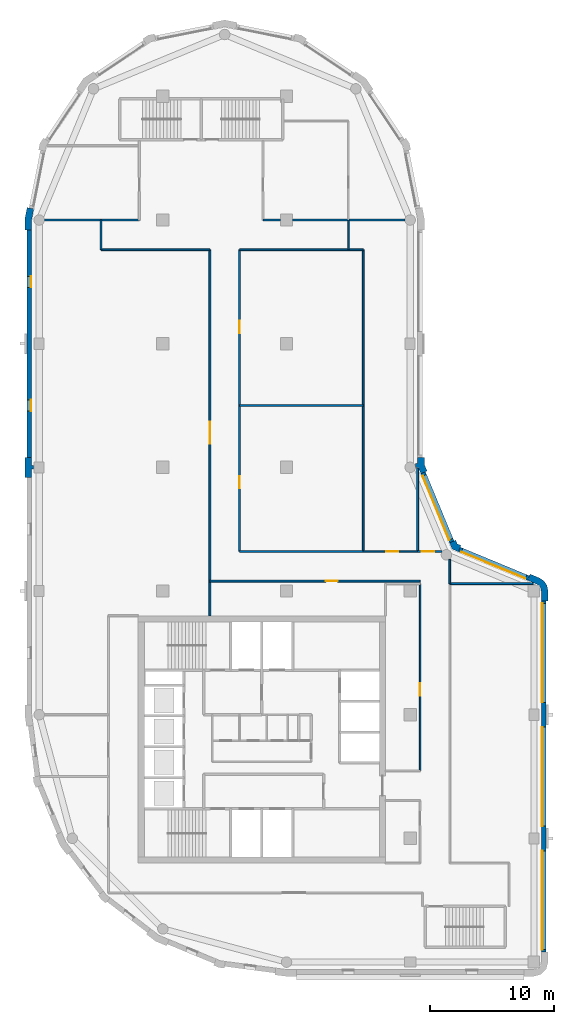
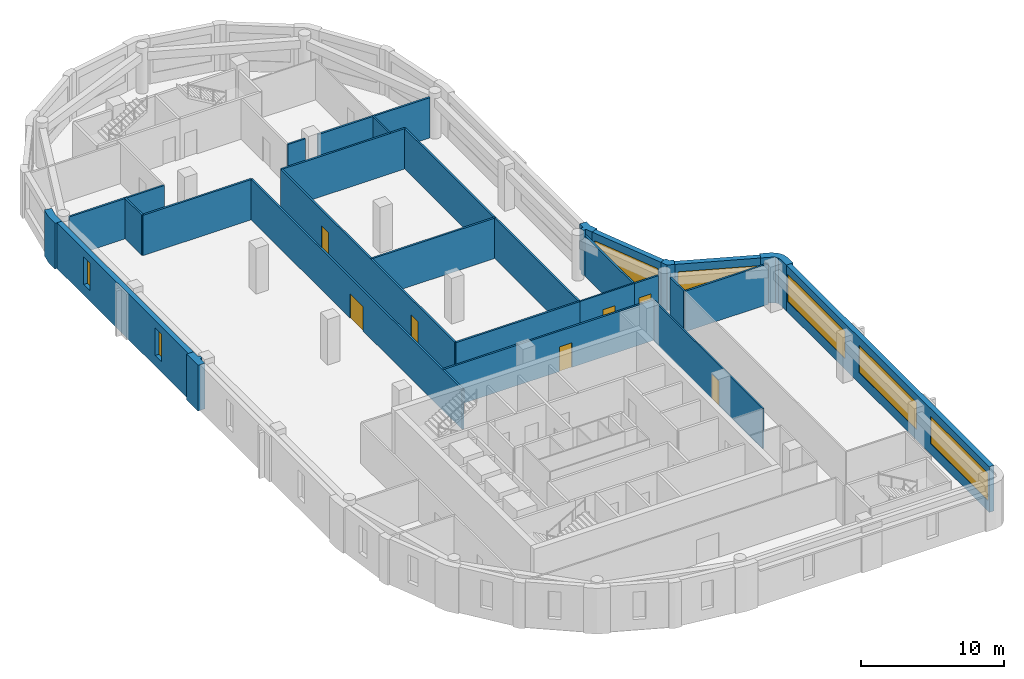
# One storey, part 4 of 8: 28 walls, 7 doors, 7 windows, 14 openings.
"""IFC4 building model written with IfcOpenShell, lengths in metres."""

import ifcopenshell
import ifcopenshell.guid

model = None  # the IFC model being written
_history = None  # IfcOwnerHistory: only IFC2X3 demands one
_inside = {}  # id of a spatial element -> (the spatial element, [elements in it])
_under = {}  # id of a project, library or spatial element -> (it, [spatial elements below it])
_declared = {}  # id of a project -> (the project, [libraries it declares])
_typed = {}  # id of a type object -> (the type object, [elements of that type])
_made_of = {}  # id of a material, layer set ... -> (it, [elements and type objects made of it])


def new_model(schema):
    """Start an empty IFC model of exactly this schema.

    Asked for "IFC4X3", IfcOpenShell would pick the latest addendum, in which some entities
    have other attributes; the version numbers below select the first issue.
    IFC2X3 requires an IfcOwnerHistory on every rooted entity: one is made here for all.
    """
    global model, _history
    if schema == "IFC4X3":
        model = ifcopenshell.file(schema_version=(4, 3, 0, 0))
    else:
        model = ifcopenshell.file(schema=schema)
    _inside.clear()
    _under.clear()
    _declared.clear()
    _typed.clear()
    _made_of.clear()
    _history = None
    if model.schema == "IFC2X3":
        org = make("IfcOrganization", Name="unknown")
        user = make(
            "IfcPersonAndOrganization",
            ThePerson=make("IfcPerson", FamilyName="unknown"),
            TheOrganization=org,
        )
        app = make(
            "IfcApplication",
            ApplicationDeveloper=org,
            Version="unknown",
            ApplicationFullName="unknown",
            ApplicationIdentifier="unknown",
        )
        _history = make(
            "IfcOwnerHistory",
            OwningUser=user,
            OwningApplication=app,
            ChangeAction="ADDED",
            CreationDate=0,
        )
    return model


def make(cls, **values):
    """One entity of the class cls with the attributes given. An attribute that is None is left unset."""
    return model.create_entity(
        cls, **{name: value for name, value in values.items() if value is not None}
    )


def rooted(cls, **values):
    """An entity with a GlobalId (a new one), such as an element, a storey or a relation."""
    return make(cls, GlobalId=ifcopenshell.guid.new(), OwnerHistory=_history, **values)


def si_unit(unit_type, name, prefix=None):
    """IfcSIUnit, for example si_unit("LENGTHUNIT", "METRE", prefix="MILLI")."""
    return make("IfcSIUnit", UnitType=unit_type, Prefix=prefix, Name=name)


def assignment(units):
    """IfcUnitAssignment: the units of a project."""
    return None if units is None else make("IfcUnitAssignment", Units=units)


def point(xyz):
    """IfcCartesianPoint."""
    return None if xyz is None else make("IfcCartesianPoint", Coordinates=xyz)


def direction(xyz):
    """IfcDirection."""
    return None if xyz is None else make("IfcDirection", DirectionRatios=xyz)


def frame(location, z_axis=None, x_axis=None):
    """IfcAxis2Placement3D, a coordinate frame: its origin and axes. An axis left out is left unset."""
    return make(
        "IfcAxis2Placement3D",
        Location=point(location),
        Axis=direction(z_axis),
        RefDirection=direction(x_axis),
    )


def frame_2d(location, x_axis=None):
    """IfcAxis2Placement2D, a coordinate frame in the plane: its origin and x axis."""
    return make(
        "IfcAxis2Placement2D", Location=point(location), RefDirection=direction(x_axis)
    )


def origin():
    """The frame at (0, 0, 0) with its axes left unset."""
    return frame((0.0, 0.0, 0.0))


def place(relative_to, where):
    """IfcLocalPlacement: puts the frame where relative to a parent placement (None: the world)."""
    return make(
        "IfcLocalPlacement", PlacementRelTo=relative_to, RelativePlacement=where
    )


def context(
    kind, dimensions, precision=None, world=None, true_north=None, identifier=None
):
    """IfcGeometricRepresentationContext, for example the 3D "Model" context."""
    return make(
        "IfcGeometricRepresentationContext",
        ContextIdentifier=identifier,
        ContextType=kind,
        CoordinateSpaceDimension=dimensions,
        Precision=precision,
        WorldCoordinateSystem=world,
        TrueNorth=true_north,
    )


def subcontext(parent, identifier, kind, view, scale=None):
    """IfcGeometricRepresentationSubContext, for example "Body" below "Model"."""
    return make(
        "IfcGeometricRepresentationSubContext",
        ContextIdentifier=identifier,
        ContextType=kind,
        ParentContext=parent,
        TargetScale=scale,
        TargetView=view,
    )


def project(units=None, contexts=None):
    """IfcProject with its units and contexts."""
    return rooted(
        "IfcProject",
        Name="project",
        RepresentationContexts=contexts,
        UnitsInContext=assignment(units),
    )


def spatial(cls, under=None, at=None, **own):
    """A site, building, storey or space (cls), placed at a placement, below another one or the project."""
    s = rooted(cls, ObjectPlacement=at, **own)
    if under is not None:
        _under.setdefault(under.id(), (under, []))[1].append(s)
    return s


def polyline(points):
    """IfcPolyline through the points."""
    return make("IfcPolyline", Points=[point(p) for p in points])


def profile(cls, at=None, kind="AREA", **sizes):
    """A parametric profile (cls). Its sizes go by their IFC names, for example OverallWidth=200.0."""
    return make(cls, ProfileType=kind, Position=at, **sizes)


def rectangle(**sizes):
    """IfcRectangleProfileDef."""
    return profile("IfcRectangleProfileDef", **sizes)


def outline(outer, holes=None, kind="AREA"):
    """IfcArbitraryClosedProfileDef: a profile drawn as a closed curve; with holes, ...WithVoids."""
    if holes is None:
        return make("IfcArbitraryClosedProfileDef", ProfileType=kind, OuterCurve=outer)
    return make(
        "IfcArbitraryProfileDefWithVoids",
        ProfileType=kind,
        OuterCurve=outer,
        InnerCurves=holes,
    )


def extrude(swept, where, along, depth):
    """IfcExtrudedAreaSolid: the profile swept, set in the frame where, extruded along a direction by depth."""
    return make(
        "IfcExtrudedAreaSolid",
        SweptArea=swept,
        Position=where,
        ExtrudedDirection=direction(along),
        Depth=depth,
    )


def shape(context_of_items, identifier, shape_type, items):
    """IfcShapeRepresentation: the items that make up one representation, for example the "Body"."""
    return make(
        "IfcShapeRepresentation",
        ContextOfItems=context_of_items,
        RepresentationIdentifier=identifier,
        RepresentationType=shape_type,
        Items=items,
    )


def material(Name=None, Category=None):
    """IfcMaterial."""
    return make("IfcMaterial", Name=Name, Category=Category)


def layer(
    of_material, thickness, ventilated=None, Name=None, Category=None, Priority=None
):
    """IfcMaterialLayer: one layer of a wall or slab, of a material (None: an air gap)."""
    return make(
        "IfcMaterialLayer",
        Material=of_material,
        LayerThickness=thickness,
        IsVentilated=ventilated,
        Name=Name,
        Category=Category,
        Priority=Priority,
    )


def layer_set(layers, Name=None):
    """IfcMaterialLayerSet."""
    return make("IfcMaterialLayerSet", MaterialLayers=layers, LayerSetName=Name)


def made_of(thing, what):
    """Note that an element or type object is made of a material, layer set ...; save() writes the relation."""
    if what is not None:
        _made_of.setdefault(what.id(), (what, []))[1].append(thing)
    return thing


def type_object(cls, material=None, **own):
    """A type object (cls), such as IfcWallType, which elements share."""
    return made_of(rooted(cls, **own), material)


def element(
    cls,
    number,
    at=None,
    inside=None,
    cuts=None,
    type_object=None,
    material=None,
    context=None,
    identifier="Body",
    shape_type=None,
    held_by="IfcProductDefinitionShape",
    body=None,
    shapes=None,
    **own,
):
    """One element of the class cls, such as IfcWall. Its Tag is "e" and its number.

    at: its placement. inside: the storey or other place that contains it. cuts: it is an
    opening in that element (IfcRelVoidsElement). A single representation is given by context,
    identifier, shape_type and body (its items); several are given by shapes. held_by: the class
    of the entity that holds the representations. save() writes the other relations.
    """
    e = rooted(cls, Tag="e%d" % number, ObjectPlacement=at, **own)
    if body is not None:
        shapes = [shape(context, identifier, shape_type, body)]
    if shapes is not None:
        e.Representation = make(held_by, Representations=shapes)
    if inside is not None:
        _inside.setdefault(inside.id(), (inside, []))[1].append(e)
    if cuts is not None:
        rooted(
            "IfcRelVoidsElement", RelatingBuildingElement=cuts, RelatedOpeningElement=e
        )
    if type_object is not None:
        _typed.setdefault(type_object.id(), (type_object, []))[1].append(e)
    return made_of(e, material)


def fill(opening, filler):
    """IfcRelFillsElement: the door or window that sits in an opening."""
    return rooted(
        "IfcRelFillsElement",
        RelatingOpeningElement=opening,
        RelatedBuildingElement=filler,
    )


def aggregate(whole, parts):
    """IfcRelAggregates: a whole, such as a stair, and the parts it consists of."""
    return rooted("IfcRelAggregates", RelatingObject=whole, RelatedObjects=parts)


def save(model, path):
    """Write the relations noted so far, then the file.

    IfcRelAggregates (storeys below a building ...), IfcRelContainedInSpatialStructure (elements
    in a storey), IfcRelDefinesByType, IfcRelAssociatesMaterial and IfcRelDeclares: one each for
    every whole, place, type object, material and project.
    """
    for whole, parts in _under.values():
        aggregate(whole, parts)
    for where, things in _inside.values():
        rooted(
            "IfcRelContainedInSpatialStructure",
            RelatedElements=things,
            RelatingStructure=where,
        )
    for kind, things in _typed.values():
        rooted("IfcRelDefinesByType", RelatedObjects=things, RelatingType=kind)
    for what, things in _made_of.values():
        rooted("IfcRelAssociatesMaterial", RelatedObjects=things, RelatingMaterial=what)
    for by, libraries in _declared.values():
        rooted("IfcRelDeclares", RelatingContext=by, RelatedDefinitions=libraries)
    model.write(path)


model = new_model("IFC4")

# Units and contexts
model_context = context("Model", 3, precision=1e-05, world=origin(), true_north=direction((0.0, 1.0)))
body_context = subcontext(model_context, "Body", "Model", "MODEL_VIEW")
ifc_project = project(units=[si_unit("LENGTHUNIT", "METRE"), si_unit("AREAUNIT", "SQUARE_METRE"), si_unit("VOLUMEUNIT", "CUBIC_METRE"), si_unit("PLANEANGLEUNIT", "RADIAN"), si_unit("MASSUNIT", "GRAM", prefix="KILO")], contexts=[model_context])

# Site, building, storey
site_placement = place(None, origin())
site = spatial("IfcSite", under=ifc_project, at=site_placement, CompositionType="ELEMENT")
building_placement = place(site_placement, origin())
building = spatial("IfcBuilding", under=site, at=building_placement, Name="Qaws Garden Tower", CompositionType="ELEMENT")
storey_placement = place(building_placement, frame((0.0, 0.0, 348.89990234375)))
storey = spatial("IfcBuildingStorey", under=building, at=storey_placement, Name="L85", CompositionType="ELEMENT", Elevation=348.89990234375)

# Wall
ifc_material_1 = material(Name="Buff clay facing brick masonry", Category="masonry")
ifc_layer_1 = layer(ifc_material_1, 0.550048828125)
ifc_layer_set_1 = layer_set([ifc_layer_1], Name="Buff clay facing brick masonry")
wall_type_1 = type_object("IfcWallType", Name="Buff brick corner pier 550 x 2400", PredefinedType="SOLIDWALL", material=ifc_layer_set_1)
placement = place(storey_placement, origin())
element("IfcWall", 1, at=placement, inside=storey, type_object=wall_type_1, Name="E-L85-pier-05", PredefinedType="SOLIDWALL", context=body_context, shape_type="SweptSolid", body=[
    extrude(outline(polyline([(41.0, 29.199951171875), (41.14990234375, 29.199951171875), (41.14990234375, 30.0), (41.0625, 30.440185546875), (40.813232421875, 30.813232421875), (40.440185546875, 31.0625), (39.700927734375, 31.36865234375), (39.6435546875, 31.22998046875), (39.490478515625, 30.860595703125), (40.2294921875, 30.554443359375), (40.42431640625, 30.42431640625), (40.554443359375, 30.2294921875), (40.60009765625, 30.0), (40.60009765625, 29.199951171875), (41.0, 29.199951171875)])), origin(), (0.0, 0.0, 1.0), 3.900146484375),
])

# Wall, openings, windows
ifc_material_2 = material(Name="Buff clay facing brick masonry", Category="masonry")
ifc_layer_2 = layer(ifc_material_2, 0.39990234375)
ifc_layer_set_2 = layer_set([ifc_layer_2], Name="Buff clay facing brick masonry")
wall_type_2 = type_object("IfcWallType", Name="Buff brick infill wall 400", PredefinedType="SOLIDWALL", material=ifc_layer_set_2)
wall_2_placement = place(storey_placement, frame((40.800048828125, 0.800048828125, 0.0), z_axis=(0.0, 0.0, 1.0), x_axis=(0.0, 1.0, 0.0)))
wall_2 = element("IfcWall", 2, at=wall_2_placement, inside=storey, type_object=wall_type_2, Name="E-L85-infill-02", PredefinedType="SOLIDWALL", context=body_context, shape_type="SweptSolid", body=[
    extrude(rectangle(XDim=28.39990234375, YDim=0.39990234375, at=frame_2d((14.199951171875, 0.0))), origin(), (0.0, 0.0, 1.0), 3.900146484375),
])
opening_1_placement = place(wall_2_placement, frame((0.199951171875, 0.0, 0.89990234375)))
opening_1 = element("IfcOpeningElement", 3, at=opening_1_placement, cuts=wall_2, Name="Opening W01", PredefinedType="OPENING", context=body_context, shape_type="SweptSolid", body=[
    extrude(rectangle(XDim=8.0, YDim=2.35009765625, at=frame_2d((4.0, 1.175048828125))), frame((0.0, 0.2099609375, 0.0), z_axis=(0.0, -1.0, 0.0), x_axis=(1.0, 0.0, 0.0)), (0.0, 0.0, 1.0), 0.419921875),
])
opening_2_placement = place(wall_2_placement, frame((10.199951171875, 0.0, 0.89990234375)))
opening_2 = element("IfcOpeningElement", 4, at=opening_2_placement, cuts=wall_2, Name="Opening W01", PredefinedType="OPENING", context=body_context, shape_type="SweptSolid", body=[
    extrude(rectangle(XDim=8.0, YDim=2.35009765625, at=frame_2d((4.0, 1.175048828125))), frame((0.0, 0.2099609375, 0.0), z_axis=(0.0, -1.0, 0.0), x_axis=(1.0, 0.0, 0.0)), (0.0, 0.0, 1.0), 0.419921875),
])
opening_3_placement = place(wall_2_placement, frame((20.199951171875, 0.0, 0.89990234375)))
opening_3 = element("IfcOpeningElement", 5, at=opening_3_placement, cuts=wall_2, Name="Opening W01", PredefinedType="OPENING", context=body_context, shape_type="SweptSolid", body=[
    extrude(rectangle(XDim=8.0, YDim=2.35009765625, at=frame_2d((4.0, 1.175048828125))), frame((0.0, 0.2099609375, 0.0), z_axis=(0.0, -1.0, 0.0), x_axis=(1.0, 0.0, 0.0)), (0.0, 0.0, 1.0), 0.419921875),
])
ifc_material_3 = material(Name="Aluminium framed window, clear glazing", Category="aluminium")
window_type_1 = type_object("IfcWindowType", Name="Ribbon window 8000 x 2350", PartitioningType="DOUBLE_PANEL_VERTICAL", PredefinedType="WINDOW", material=ifc_material_3)
window_1_placement = place(opening_1_placement, origin())
window_1 = element("IfcWindow", 6, at=window_1_placement, inside=storey, type_object=window_type_1, Name="E-L85-window-02-0", OverallHeight=2.35009765625, OverallWidth=8.0, PartitioningType="SINGLE_PANEL", PredefinedType="WINDOW", context=body_context, shape_type="SweptSolid", body=[
    extrude(rectangle(XDim=8.0, YDim=2.35009765625, at=frame_2d((4.0, 1.175048828125))), frame((0.0, 0.159912109375, 0.0), z_axis=(0.0, -1.0, 0.0), x_axis=(1.0, 0.0, 0.0)), (0.0, 0.0, 1.0), 0.06005859375),
])
fill(opening_1, window_1)
window_2_placement = place(opening_2_placement, origin())
window_2 = element("IfcWindow", 7, at=window_2_placement, inside=storey, type_object=window_type_1, Name="E-L85-window-03-0", OverallHeight=2.35009765625, OverallWidth=8.0, PartitioningType="SINGLE_PANEL", PredefinedType="WINDOW", context=body_context, shape_type="SweptSolid", body=[
    extrude(rectangle(XDim=8.0, YDim=2.35009765625, at=frame_2d((4.0, 1.175048828125))), frame((0.0, 0.159912109375, 0.0), z_axis=(0.0, -1.0, 0.0), x_axis=(1.0, 0.0, 0.0)), (0.0, 0.0, 1.0), 0.06005859375),
])
fill(opening_2, window_2)
window_3_placement = place(opening_3_placement, origin())
window_3 = element("IfcWindow", 8, at=window_3_placement, inside=storey, type_object=window_type_1, Name="E-L85-window-04-0", OverallHeight=2.35009765625, OverallWidth=8.0, PartitioningType="SINGLE_PANEL", PredefinedType="WINDOW", context=body_context, shape_type="SweptSolid", body=[
    extrude(rectangle(XDim=8.0, YDim=2.35009765625, at=frame_2d((4.0, 1.175048828125))), frame((0.0, 0.159912109375, 0.0), z_axis=(0.0, -1.0, 0.0), x_axis=(1.0, 0.0, 0.0)), (0.0, 0.0, 1.0), 0.06005859375),
])
fill(opening_3, window_3)

# Wall, opening, window
wall_3_placement = place(storey_placement, frame((39.56689453125, 31.04541015625, 0.0), z_axis=(0.0, 0.0, 1.0), x_axis=(-0.923891000409, 0.382655745237, 0.0)))
wall_3 = element("IfcWall", 9, at=wall_3_placement, inside=storey, type_object=wall_type_2, Name="E-L85-infill-05", PredefinedType="SOLIDWALL", context=body_context, shape_type="SweptSolid", body=[
    extrude(rectangle(XDim=6.053466796875, YDim=0.39990234375, at=frame_2d((3.02685546875, 0.0))), origin(), (0.0, 0.0, 1.0), 3.900146484375),
])
opening_4_placement = place(wall_3_placement, frame((0.226806640625, 0.0, 0.89990234375)))
opening_4 = element("IfcOpeningElement", 10, at=opening_4_placement, cuts=wall_3, Name="Opening W04", PredefinedType="OPENING", context=body_context, shape_type="SweptSolid", body=[
    extrude(rectangle(XDim=5.60009765625, YDim=2.35009765625, at=frame_2d((2.800048828125, 1.175048828125))), frame((0.0, 0.2099609375, 0.0), z_axis=(0.0, -1.0, 0.0), x_axis=(1.0, 0.0, 0.0)), (0.0, 0.0, 1.0), 0.419921875),
])
ifc_material_4 = material(Name="Aluminium framed window, clear glazing", Category="aluminium")
window_type_2 = type_object("IfcWindowType", Name="Ribbon window 5600 x 2350", PartitioningType="DOUBLE_PANEL_VERTICAL", PredefinedType="WINDOW", material=ifc_material_4)
window_4_placement = place(opening_4_placement, origin())
window_4 = element("IfcWindow", 11, at=window_4_placement, inside=storey, type_object=window_type_2, Name="E-L85-window-05-0", OverallHeight=2.35009765625, OverallWidth=5.60009765625, PartitioningType="SINGLE_PANEL", PredefinedType="WINDOW", context=body_context, shape_type="SweptSolid", body=[
    extrude(rectangle(XDim=5.60009765625, YDim=2.35009765625, at=frame_2d((2.800048828125, 1.175048828125))), frame((0.0, 0.159912109375, 0.0), z_axis=(0.0, -1.0, 0.0), x_axis=(1.0, 0.0, 0.0)), (0.0, 0.0, 1.0), 0.06005859375),
])
fill(opening_4, window_4)

wall_4_placement = place(storey_placement, frame((33.36181640625, 33.97412109375, 0.0), z_axis=(0.0, 0.0, 1.0), x_axis=(-0.382655745237, 0.923891000409, 0.0)))
wall_4 = element("IfcWall", 12, at=wall_4_placement, inside=storey, type_object=wall_type_2, Name="E-L85-infill-06", PredefinedType="SOLIDWALL", context=body_context, shape_type="SweptSolid", body=[
    extrude(rectangle(XDim=6.053466796875, YDim=0.39990234375, at=frame_2d((3.02685546875, 0.0))), origin(), (0.0, 0.0, 1.0), 3.900146484375),
])
opening_5_placement = place(wall_4_placement, frame((0.226806640625, 0.0, 0.89990234375)))
opening_5 = element("IfcOpeningElement", 13, at=opening_5_placement, cuts=wall_4, Name="Opening W04", PredefinedType="OPENING", context=body_context, shape_type="SweptSolid", body=[
    extrude(rectangle(XDim=5.60009765625, YDim=2.35009765625, at=frame_2d((2.800048828125, 1.175048828125))), frame((0.0, 0.2099609375, 0.0), z_axis=(0.0, -1.0, 0.0), x_axis=(1.0, 0.0, 0.0)), (0.0, 0.0, 1.0), 0.419921875),
])
window_5_placement = place(opening_5_placement, origin())
window_5 = element("IfcWindow", 14, at=window_5_placement, inside=storey, type_object=window_type_2, Name="E-L85-window-06-0", OverallHeight=2.35009765625, OverallWidth=5.60009765625, PartitioningType="SINGLE_PANEL", PredefinedType="WINDOW", context=body_context, shape_type="SweptSolid", body=[
    extrude(rectangle(XDim=5.60009765625, YDim=2.35009765625, at=frame_2d((2.800048828125, 1.175048828125))), frame((0.0, 0.159912109375, 0.0), z_axis=(0.0, -1.0, 0.0), x_axis=(1.0, 0.0, 0.0)), (0.0, 0.0, 1.0), 0.06005859375),
])
fill(opening_5, window_5)

# Wall, openings, windows
wall_5_placement = place(storey_placement, frame((-0.800048828125, 59.199951171875, 0.0), z_axis=(0.0, 0.0, 1.0), x_axis=(0.0, -1.0, 0.0)))
wall_5 = element("IfcWall", 15, at=wall_5_placement, inside=storey, type_object=wall_type_2, Name="E-L85-infill-17", PredefinedType="SOLIDWALL", context=body_context, shape_type="SweptSolid", body=[
    extrude(rectangle(XDim=18.39990234375, YDim=0.39990234375, at=frame_2d((9.199951171875, 0.0))), origin(), (0.0, 0.0, 1.0), 3.900146484375),
])
opening_6_placement = place(wall_5_placement, frame((3.75, 0.0, 0.89990234375)))
opening_6 = element("IfcOpeningElement", 16, at=opening_6_placement, cuts=wall_5, Name="Opening W09", PredefinedType="OPENING", context=body_context, shape_type="SweptSolid", body=[
    extrude(rectangle(XDim=0.89990234375, YDim=2.35009765625, at=frame_2d((0.449951171875, 1.175048828125))), frame((0.0, 0.2099609375, 0.0), z_axis=(0.0, -1.0, 0.0), x_axis=(1.0, 0.0, 0.0)), (0.0, 0.0, 1.0), 0.419921875),
])
opening_7_placement = place(wall_5_placement, frame((13.75, 0.0, 0.89990234375)))
opening_7 = element("IfcOpeningElement", 17, at=opening_7_placement, cuts=wall_5, Name="Opening W09", PredefinedType="OPENING", context=body_context, shape_type="SweptSolid", body=[
    extrude(rectangle(XDim=0.89990234375, YDim=2.35009765625, at=frame_2d((0.449951171875, 1.175048828125))), frame((0.0, 0.2099609375, 0.0), z_axis=(0.0, -1.0, 0.0), x_axis=(1.0, 0.0, 0.0)), (0.0, 0.0, 1.0), 0.419921875),
])
ifc_material_5 = material(Name="Aluminium framed window, clear glazing", Category="aluminium")
window_type_3 = type_object("IfcWindowType", Name="Slit window 900 x 2350", PartitioningType="SINGLE_PANEL", PredefinedType="WINDOW", material=ifc_material_5)
window_6_placement = place(opening_6_placement, origin())
window_6 = element("IfcWindow", 18, at=window_6_placement, inside=storey, type_object=window_type_3, Name="E-L85-window-17-0", OverallHeight=2.35009765625, OverallWidth=0.89990234375, PartitioningType="SINGLE_PANEL", PredefinedType="WINDOW", context=body_context, shape_type="SweptSolid", body=[
    extrude(rectangle(XDim=0.89990234375, YDim=2.35009765625, at=frame_2d((0.449951171875, 1.175048828125))), frame((0.0, 0.159912109375, 0.0), z_axis=(0.0, -1.0, 0.0), x_axis=(1.0, 0.0, 0.0)), (0.0, 0.0, 1.0), 0.06005859375),
])
fill(opening_6, window_6)
window_7_placement = place(opening_7_placement, origin())
window_7 = element("IfcWindow", 19, at=window_7_placement, inside=storey, type_object=window_type_3, Name="E-L85-window-18-0", OverallHeight=2.35009765625, OverallWidth=0.89990234375, PartitioningType="SINGLE_PANEL", PredefinedType="WINDOW", context=body_context, shape_type="SweptSolid", body=[
    extrude(rectangle(XDim=0.89990234375, YDim=2.35009765625, at=frame_2d((0.449951171875, 1.175048828125))), frame((0.0, 0.159912109375, 0.0), z_axis=(0.0, -1.0, 0.0), x_axis=(1.0, 0.0, 0.0)), (0.0, 0.0, 1.0), 0.06005859375),
])
fill(opening_7, window_7)

# Walls
ifc_material_6 = material(Name="Buff clay facing brick masonry", Category="masonry")
ifc_layer_3 = layer(ifc_material_6, 0.550048828125)
ifc_layer_set_3 = layer_set([ifc_layer_3], Name="Buff clay facing brick masonry")
wall_type_3 = type_object("IfcWallType", Name="Buff brick pier 550 x 1600", PredefinedType="SOLIDWALL", material=ifc_layer_set_3)
element("IfcWall", 20, at=placement, inside=storey, type_object=wall_type_3, Name="E-L85-pier-06", PredefinedType="SOLIDWALL", context=body_context, shape_type="SweptSolid", body=[
    extrude(outline(polyline([(34.05078125, 33.546630859375), (34.108154296875, 33.685302734375), (33.80908203125, 33.80908203125), (33.685302734375, 34.108154296875), (33.546630859375, 34.05078125), (33.177001953125, 33.897705078125), (33.38818359375, 33.38818359375), (33.897705078125, 33.177001953125), (34.05078125, 33.546630859375)])), origin(), (0.0, 0.0, 1.0), 3.900146484375),
])
element("IfcWall", 21, at=placement, inside=storey, type_object=wall_type_3, Name="E-L85-pier-07", PredefinedType="SOLIDWALL", context=body_context, shape_type="SweptSolid", body=[
    extrude(outline(polyline([(30.6201171875, 39.995361328125), (30.6201171875, 40.071044921875), (30.860595703125, 39.490478515625), (31.22998046875, 39.6435546875), (31.36865234375, 39.700927734375), (31.14990234375, 40.228759765625), (31.14990234375, 40.800048828125), (31.0, 40.800048828125), (30.60009765625, 40.800048828125), (30.60009765625, 40.29541015625), (30.425048828125, 40.29541015625), (30.425048828125, 39.995361328125), (30.6201171875, 39.995361328125)])), origin(), (0.0, 0.0, 1.0), 3.900146484375),
])
element("IfcWall", 22, at=placement, inside=storey, type_object=wall_type_3, Name="E-L85-pier-17", PredefinedType="SOLIDWALL", context=body_context, shape_type="SweptSolid", body=[
    extrude(outline(polyline([(-0.82470703125, 60.979736328125), (-0.971923828125, 61.009033203125), (-1.14990234375, 60.11328125), (-1.14990234375, 59.199951171875), (-1.0, 59.199951171875), (-0.60009765625, 59.199951171875), (-0.60009765625, 60.05908203125), (-0.432373046875, 60.901611328125), (-0.82470703125, 60.979736328125)])), origin(), (0.0, 0.0, 1.0), 3.900146484375),
])
element("IfcWall", 23, at=placement, inside=storey, type_object=wall_type_3, Name="E-L85-pier-19", PredefinedType="SOLIDWALL", context=body_context, shape_type="SweptSolid", body=[
    extrude(outline(polyline([(-0.60009765625, 39.199951171875), (-0.60009765625, 39.85009765625), (-0.449951171875, 39.85009765625), (-0.449951171875, 40.14990234375), (-0.60009765625, 40.14990234375), (-0.60009765625, 40.800048828125), (-1.0, 40.800048828125), (-1.14990234375, 40.800048828125), (-1.14990234375, 40.0), (-1.14990234375, 39.199951171875), (-1.0, 39.199951171875), (-0.60009765625, 39.199951171875)])), origin(), (0.0, 0.0, 1.0), 3.900146484375),
])
ifc_material_7 = material(Name="Glass and aluminium framing", Category="aluminium")
ifc_layer_4 = layer(ifc_material_7, 0.1201171875)
ifc_layer_set_4 = layer_set([ifc_layer_4], Name="Glass and aluminium framing")
wall_type_4 = type_object("IfcWallType", Name="GLAZED PARTITION 120 EI 30", PredefinedType="PARTITIONING", material=ifc_layer_set_4)
wall_10_placement = place(storey_placement, frame((25.0, 57.60009765625, 0.0), z_axis=(0.0, 0.0, 1.0), x_axis=(0.0, 1.0, 0.0)))
element("IfcWall", 24, at=wall_10_placement, inside=storey, type_object=wall_type_4, Name="O-L85-wall-028", PredefinedType="PARTITIONING", context=body_context, shape_type="SweptSolid", body=[
    extrude(rectangle(XDim=2.39990234375, YDim=0.1201171875, at=frame_2d((1.199951171875, 0.0))), origin(), (0.0, 0.0, 1.0), 3.4501953125),
])

# Wall, opening, door
wall_11_placement = place(storey_placement, frame((30.800048828125, 15.449951171875, 0.0), z_axis=(0.0, 0.0, 1.0), x_axis=(0.0, 1.0, 0.0)))
wall_11 = element("IfcWall", 25, at=wall_11_placement, inside=storey, type_object=wall_type_4, Name="O-L85-wall-030", PredefinedType="PARTITIONING", context=body_context, shape_type="SweptSolid", body=[
    extrude(rectangle(XDim=15.150146484375, YDim=0.1201171875, at=frame_2d((7.5751953125, 0.0))), origin(), (0.0, 0.0, 1.0), 3.4501953125),
])
opening_8_placement = place(wall_11_placement, frame((6.10009765625, 0.0, 0.0)))
opening_8 = element("IfcOpeningElement", 26, at=opening_8_placement, cuts=wall_11, Name="Opening C1007", PredefinedType="OPENING", context=body_context, shape_type="SweptSolid", body=[
    extrude(rectangle(XDim=1.0, YDim=2.10009765625, at=frame_2d((0.5, 1.050048828125))), frame((0.0, 0.070068359375, 0.0), z_axis=(0.0, -1.0, 0.0), x_axis=(1.0, 0.0, 0.0)), (0.0, 0.0, 1.0), 0.14013671875),
])
ifc_material_8 = material(Name="Timber door leaf", Category="wood")
door_type_1 = type_object("IfcDoorType", Name="TENANCY ENTRANCE DOOR 1000 X 2100", OperationType="SINGLE_SWING_LEFT", PredefinedType="DOOR", material=ifc_material_8)
door_1_placement = place(opening_8_placement, origin())
door_1 = element("IfcDoor", 27, at=door_1_placement, inside=storey, type_object=door_type_1, Name="O-L85-door-007", OperationType="SINGLE_SWING_RIGHT", OverallHeight=2.10009765625, OverallWidth=1.0, PredefinedType="DOOR", context=body_context, shape_type="SweptSolid", body=[
    extrude(rectangle(XDim=1.0, YDim=2.10009765625, at=frame_2d((0.5, 1.050048828125))), frame((0.0, 0.02490234375, 0.0), z_axis=(0.0, -1.0, 0.0), x_axis=(1.0, 0.0, 0.0)), (0.0, 0.0, 1.0), 0.050048828125),
])
fill(opening_8, door_1)

wall_12_placement = place(storey_placement, frame((26.199951171875, 33.199951171875, 0.0), z_axis=(0.0, 0.0, 1.0), x_axis=(1.0, 0.0, 0.0)))
wall_12 = element("IfcWall", 28, at=wall_12_placement, inside=storey, type_object=wall_type_4, Name="O-L85-wall-039", PredefinedType="PARTITIONING", context=body_context, shape_type="SweptSolid", body=[
    extrude(rectangle(XDim=4.400146484375, YDim=0.1201171875, at=frame_2d((2.2001953125, 0.0))), origin(), (0.0, 0.0, 1.0), 3.4501953125),
])
opening_9_placement = place(wall_12_placement, frame((1.85009765625, 0.0, 0.0)))
opening_9 = element("IfcOpeningElement", 29, at=opening_9_placement, cuts=wall_12, Name="Opening C1012", PredefinedType="OPENING", context=body_context, shape_type="SweptSolid", body=[
    extrude(rectangle(XDim=1.0, YDim=2.10009765625, at=frame_2d((0.5, 1.050048828125))), frame((0.0, 0.070068359375, 0.0), z_axis=(0.0, -1.0, 0.0), x_axis=(1.0, 0.0, 0.0)), (0.0, 0.0, 1.0), 0.14013671875),
])
door_2_placement = place(opening_9_placement, origin())
door_2 = element("IfcDoor", 30, at=door_2_placement, inside=storey, type_object=door_type_1, Name="O-L85-door-012", OperationType="SINGLE_SWING_RIGHT", OverallHeight=2.10009765625, OverallWidth=1.0, PredefinedType="DOOR", context=body_context, shape_type="SweptSolid", body=[
    extrude(rectangle(XDim=1.0, YDim=2.10009765625, at=frame_2d((0.5, 1.050048828125))), frame((0.0, 0.02490234375, 0.0), z_axis=(0.0, -1.0, 0.0), x_axis=(1.0, 0.0, 0.0)), (0.0, 0.0, 1.0), 0.050048828125),
])
fill(opening_9, door_2)

# Wall
ifc_material_9 = material(Name="Gypsum board partition")
ifc_layer_5 = layer(ifc_material_9, 0.14990234375)
ifc_layer_set_5 = layer_set([ifc_layer_5], Name="Gypsum board partition")
wall_type_5 = type_object("IfcWallType", Name="PARTITION 150 EI 60", PredefinedType="PARTITIONING", material=ifc_layer_set_5)
wall_13_placement = place(storey_placement, frame((5.0, 57.60009765625, 0.0), z_axis=(0.0, 0.0, 1.0), x_axis=(0.0, 1.0, 0.0)))
element("IfcWall", 31, at=wall_13_placement, inside=storey, type_object=wall_type_5, Name="O-L85-wall-003", PredefinedType="PARTITIONING", context=body_context, shape_type="SweptSolid", body=[
    extrude(rectangle(XDim=2.39990234375, YDim=0.14990234375, at=frame_2d((1.199951171875, 0.0))), origin(), (0.0, 0.0, 1.0), 3.4501953125),
])

# Wall, opening, door
wall_14_placement = place(storey_placement, frame((13.800048828125, 28.0, 0.0), z_axis=(0.0, 0.0, 1.0), x_axis=(0.0, 1.0, 0.0)))
wall_14 = element("IfcWall", 32, at=wall_14_placement, inside=storey, type_object=wall_type_5, Name="O-L85-wall-006", PredefinedType="PARTITIONING", context=body_context, shape_type="SweptSolid", body=[
    extrude(rectangle(XDim=29.60009765625, YDim=0.14990234375, at=frame_2d((14.800048828125, 0.0))), origin(), (0.0, 0.0, 1.0), 3.4501953125),
])
opening_10_placement = place(wall_14_placement, frame((13.90087890625, 0.0, 0.0)))
opening_10 = element("IfcOpeningElement", 33, at=opening_10_placement, cuts=wall_14, Name="Opening C1009", PredefinedType="OPENING", context=body_context, shape_type="SweptSolid", body=[
    extrude(rectangle(XDim=1.800048828125, YDim=2.10009765625, at=frame_2d((0.89990234375, 1.050048828125))), frame((0.0, 0.0849609375, 0.0), z_axis=(0.0, -1.0, 0.0), x_axis=(1.0, 0.0, 0.0)), (0.0, 0.0, 1.0), 0.169921875),
])
ifc_material_10 = material(Name="Timber door leaf", Category="wood")
door_type_2 = type_object("IfcDoorType", Name="DOUBLE DOOR 1800 X 2100", OperationType="DOUBLE_DOOR_SINGLE_SWING", PredefinedType="DOOR", material=ifc_material_10)
door_3_placement = place(opening_10_placement, origin())
door_3 = element("IfcDoor", 34, at=door_3_placement, inside=storey, type_object=door_type_2, Name="O-L85-door-009", OperationType="DOUBLE_DOOR_SINGLE_SWING", OverallHeight=2.10009765625, OverallWidth=1.800048828125, PredefinedType="DOOR", context=body_context, shape_type="SweptSolid", body=[
    extrude(rectangle(XDim=1.800048828125, YDim=2.10009765625, at=frame_2d((0.89990234375, 1.050048828125))), frame((0.0, 0.02490234375, 0.0), z_axis=(0.0, -1.0, 0.0), x_axis=(1.0, 0.0, 0.0)), (0.0, 0.0, 1.0), 0.050048828125),
])
fill(opening_10, door_3)

# Wall, openings, doors
wall_15_placement = place(storey_placement, frame((16.199951171875, 33.199951171875, 0.0), z_axis=(0.0, 0.0, 1.0), x_axis=(0.0, 1.0, 0.0)))
wall_15 = element("IfcWall", 35, at=wall_15_placement, inside=storey, type_object=wall_type_5, Name="O-L85-wall-007", PredefinedType="PARTITIONING", context=body_context, shape_type="SweptSolid", body=[
    extrude(rectangle(XDim=24.400146484375, YDim=0.14990234375, at=frame_2d((12.2001953125, 0.0))), origin(), (0.0, 0.0, 1.0), 3.4501953125),
])
opening_11_placement = place(wall_15_placement, frame((5.10009765625, 0.0, 0.0)))
opening_11 = element("IfcOpeningElement", 36, at=opening_11_placement, cuts=wall_15, Name="Opening C1010", PredefinedType="OPENING", context=body_context, shape_type="SweptSolid", body=[
    extrude(rectangle(XDim=1.0, YDim=2.10009765625, at=frame_2d((0.5, 1.050048828125))), frame((0.0, 0.0849609375, 0.0), z_axis=(0.0, -1.0, 0.0), x_axis=(1.0, 0.0, 0.0)), (0.0, 0.0, 1.0), 0.169921875),
])
opening_12_placement = place(wall_15_placement, frame((17.64990234375, 0.0, 0.0)))
opening_12 = element("IfcOpeningElement", 37, at=opening_12_placement, cuts=wall_15, Name="Opening C1011", PredefinedType="OPENING", context=body_context, shape_type="SweptSolid", body=[
    extrude(rectangle(XDim=1.0, YDim=2.10009765625, at=frame_2d((0.5, 1.050048828125))), frame((0.0, 0.0849609375, 0.0), z_axis=(0.0, -1.0, 0.0), x_axis=(1.0, 0.0, 0.0)), (0.0, 0.0, 1.0), 0.169921875),
])
door_4_placement = place(opening_11_placement, frame((1.0, 0.0, 0.0), z_axis=(0.0, 0.0, 1.0), x_axis=(-1.0, 0.0, 0.0)))
door_4 = element("IfcDoor", 38, at=door_4_placement, inside=storey, type_object=door_type_1, Name="O-L85-door-010", OperationType="SINGLE_SWING_RIGHT", OverallHeight=2.10009765625, OverallWidth=1.0, PredefinedType="DOOR", context=body_context, shape_type="SweptSolid", body=[
    extrude(rectangle(XDim=1.0, YDim=2.10009765625, at=frame_2d((0.5, 1.050048828125))), frame((0.0, 0.02490234375, 0.0), z_axis=(0.0, -1.0, 0.0), x_axis=(1.0, 0.0, 0.0)), (0.0, 0.0, 1.0), 0.050048828125),
])
fill(opening_11, door_4)
door_5_placement = place(opening_12_placement, frame((1.0, 0.0, 0.0), z_axis=(0.0, 0.0, 1.0), x_axis=(-1.0, 0.0, 0.0)))
door_5 = element("IfcDoor", 39, at=door_5_placement, inside=storey, type_object=door_type_1, Name="O-L85-door-011", OperationType="SINGLE_SWING_RIGHT", OverallHeight=2.10009765625, OverallWidth=1.0, PredefinedType="DOOR", context=body_context, shape_type="SweptSolid", body=[
    extrude(rectangle(XDim=1.0, YDim=2.10009765625, at=frame_2d((0.5, 1.050048828125))), frame((0.0, 0.02490234375, 0.0), z_axis=(0.0, -1.0, 0.0), x_axis=(1.0, 0.0, 0.0)), (0.0, 0.0, 1.0), 0.050048828125),
])
fill(opening_12, door_5)

# Walls
wall_16_placement = place(storey_placement, frame((26.199951171875, 33.199951171875, 0.0), z_axis=(0.0, 0.0, 1.0), x_axis=(0.0, 1.0, 0.0)))
element("IfcWall", 40, at=wall_16_placement, inside=storey, type_object=wall_type_5, Name="O-L85-wall-009", PredefinedType="PARTITIONING", context=body_context, shape_type="SweptSolid", body=[
    extrude(rectangle(XDim=24.400146484375, YDim=0.14990234375, at=frame_2d((12.2001953125, 0.0))), origin(), (0.0, 0.0, 1.0), 3.4501953125),
])
wall_17_placement = place(storey_placement, frame((30.60009765625, 33.199951171875, 0.0), z_axis=(0.0, 0.0, 1.0), x_axis=(0.0, 1.0, 0.0)))
element("IfcWall", 41, at=wall_17_placement, inside=storey, type_object=wall_type_5, Name="O-L85-wall-011", PredefinedType="PARTITIONING", context=body_context, shape_type="SweptSolid", body=[
    extrude(rectangle(XDim=6.73828125, YDim=0.14990234375, at=frame_2d((3.369140625, 0.0))), origin(), (0.0, 0.0, 1.0), 3.4501953125),
])
wall_18_placement = place(storey_placement, frame((33.199951171875, 30.60009765625, 0.0), z_axis=(0.0, 0.0, 1.0), x_axis=(0.0, 1.0, 0.0)))
element("IfcWall", 42, at=wall_18_placement, inside=storey, type_object=wall_type_5, Name="O-L85-wall-012", PredefinedType="PARTITIONING", context=body_context, shape_type="SweptSolid", body=[
    extrude(rectangle(XDim=1.951904296875, YDim=0.14990234375, at=frame_2d((0.97607421875, 0.0))), origin(), (0.0, 0.0, 1.0), 3.4501953125),
])
wall_19_placement = place(storey_placement, frame((33.199951171875, 30.60009765625, 0.0), z_axis=(0.0, 0.0, 1.0), x_axis=(1.0, 0.0, 0.0)))
element("IfcWall", 43, at=wall_19_placement, inside=storey, type_object=wall_type_5, Name="O-L85-wall-017", PredefinedType="PARTITIONING", context=body_context, shape_type="SweptSolid", body=[
    extrude(rectangle(XDim=6.73828125, YDim=0.14990234375, at=frame_2d((3.369140625, 0.0))), origin(), (0.0, 0.0, 1.0), 3.4501953125),
])

# Wall, opening, door
wall_20_placement = place(storey_placement, frame((13.802001953125, 30.800048828125, 0.0), z_axis=(0.0, 0.0, 1.0), x_axis=(1.0, 0.0, 0.0)))
wall_20 = element("IfcWall", 44, at=wall_20_placement, inside=storey, type_object=wall_type_5, Name="O-L85-wall-018", PredefinedType="PARTITIONING", context=body_context, shape_type="SweptSolid", body=[
    extrude(rectangle(XDim=16.998046875, YDim=0.14990234375, at=frame_2d((8.4990234375, 0.0))), origin(), (0.0, 0.0, 1.0), 3.4501953125),
])
opening_13_placement = place(wall_20_placement, frame((9.35009765625, 0.0, 0.0)))
opening_13 = element("IfcOpeningElement", 45, at=opening_13_placement, cuts=wall_20, Name="Opening C1005", PredefinedType="OPENING", context=body_context, shape_type="SweptSolid", body=[
    extrude(rectangle(XDim=1.0, YDim=2.10009765625, at=frame_2d((0.5, 1.050048828125))), frame((0.0, 0.0849609375, 0.0), z_axis=(0.0, -1.0, 0.0), x_axis=(1.0, 0.0, 0.0)), (0.0, 0.0, 1.0), 0.169921875),
])
door_6_placement = place(opening_13_placement, frame((1.0, 0.0, 0.0), z_axis=(0.0, 0.0, 1.0), x_axis=(-1.0, 0.0, 0.0)))
door_6 = element("IfcDoor", 46, at=door_6_placement, inside=storey, type_object=door_type_1, Name="O-L85-door-005", OperationType="SINGLE_SWING_LEFT", OverallHeight=2.10009765625, OverallWidth=1.0, PredefinedType="DOOR", context=body_context, shape_type="SweptSolid", body=[
    extrude(rectangle(XDim=1.0, YDim=2.10009765625, at=frame_2d((0.5, 1.050048828125))), frame((0.0, 0.02490234375, 0.0), z_axis=(0.0, -1.0, 0.0), x_axis=(1.0, 0.0, 0.0)), (0.0, 0.0, 1.0), 0.050048828125),
])
fill(opening_13, door_6)

# Wall
wall_21_placement = place(storey_placement, frame((16.199951171875, 33.199951171875, 0.0), z_axis=(0.0, 0.0, 1.0), x_axis=(1.0, 0.0, 0.0)))
element("IfcWall", 47, at=wall_21_placement, inside=storey, type_object=wall_type_5, Name="O-L85-wall-019", PredefinedType="PARTITIONING", context=body_context, shape_type="SweptSolid", body=[
    extrude(rectangle(XDim=10.0, YDim=0.14990234375, at=frame_2d((5.0, 0.0))), origin(), (0.0, 0.0, 1.0), 3.4501953125),
])

# Wall, opening, door
wall_22_placement = place(storey_placement, frame((30.60009765625, 33.199951171875, 0.0), z_axis=(0.0, 0.0, 1.0), x_axis=(1.0, 0.0, 0.0)))
wall_22 = element("IfcWall", 48, at=wall_22_placement, inside=storey, type_object=wall_type_5, Name="O-L85-wall-020", PredefinedType="PARTITIONING", context=body_context, shape_type="SweptSolid", body=[
    extrude(rectangle(XDim=1.951904296875, YDim=0.14990234375, at=frame_2d((0.97607421875, 0.0))), origin(), (0.0, 0.0, 1.0), 3.4501953125),
])
opening_14_placement = place(wall_22_placement, frame((0.35009765625, 0.0, 0.0)))
opening_14 = element("IfcOpeningElement", 49, at=opening_14_placement, cuts=wall_22, Name="Opening C1004", PredefinedType="OPENING", context=body_context, shape_type="SweptSolid", body=[
    extrude(rectangle(XDim=1.0, YDim=2.10009765625, at=frame_2d((0.5, 1.050048828125))), frame((0.0, 0.0849609375, 0.0), z_axis=(0.0, -1.0, 0.0), x_axis=(1.0, 0.0, 0.0)), (0.0, 0.0, 1.0), 0.169921875),
])
door_7_placement = place(opening_14_placement, origin())
door_7 = element("IfcDoor", 50, at=door_7_placement, inside=storey, type_object=door_type_1, Name="O-L85-door-004", OperationType="SINGLE_SWING_LEFT", OverallHeight=2.10009765625, OverallWidth=1.0, PredefinedType="DOOR", context=body_context, shape_type="SweptSolid", body=[
    extrude(rectangle(XDim=1.0, YDim=2.10009765625, at=frame_2d((0.5, 1.050048828125))), frame((0.0, 0.02490234375, 0.0), z_axis=(0.0, -1.0, 0.0), x_axis=(1.0, 0.0, 0.0)), (0.0, 0.0, 1.0), 0.050048828125),
])
fill(opening_14, door_7)

# Walls
wall_23_placement = place(storey_placement, frame((16.199951171875, 45.0, 0.0), z_axis=(0.0, 0.0, 1.0), x_axis=(1.0, 0.0, 0.0)))
element("IfcWall", 51, at=wall_23_placement, inside=storey, type_object=wall_type_5, Name="O-L85-wall-021", PredefinedType="PARTITIONING", context=body_context, shape_type="SweptSolid", body=[
    extrude(rectangle(XDim=10.0, YDim=0.14990234375, at=frame_2d((5.0, 0.0))), origin(), (0.0, 0.0, 1.0), 3.4501953125),
])
wall_24_placement = place(storey_placement, frame((5.0, 57.60009765625, 0.0), z_axis=(0.0, 0.0, 1.0), x_axis=(1.0, 0.0, 0.0)))
element("IfcWall", 52, at=wall_24_placement, inside=storey, type_object=wall_type_5, Name="O-L85-wall-022", PredefinedType="PARTITIONING", context=body_context, shape_type="SweptSolid", body=[
    extrude(rectangle(XDim=8.800048828125, YDim=0.14990234375, at=frame_2d((4.39990234375, 0.0))), origin(), (0.0, 0.0, 1.0), 3.4501953125),
])
wall_25_placement = place(storey_placement, frame((16.199951171875, 57.60009765625, 0.0), z_axis=(0.0, 0.0, 1.0), x_axis=(1.0, 0.0, 0.0)))
element("IfcWall", 53, at=wall_25_placement, inside=storey, type_object=wall_type_5, Name="O-L85-wall-023", PredefinedType="PARTITIONING", context=body_context, shape_type="SweptSolid", body=[
    extrude(rectangle(XDim=10.0, YDim=0.14990234375, at=frame_2d((5.0, 0.0))), origin(), (0.0, 0.0, 1.0), 3.4501953125),
])
wall_26_placement = place(storey_placement, frame((0.425048828125, 60.0, 0.0), z_axis=(0.0, 0.0, 1.0), x_axis=(1.0, 0.0, 0.0)))
element("IfcWall", 54, at=wall_26_placement, inside=storey, type_object=wall_type_5, Name="O-L85-wall-024", PredefinedType="PARTITIONING", context=body_context, shape_type="SweptSolid", body=[
    extrude(rectangle(XDim=7.675048828125, YDim=0.14990234375, at=frame_2d((3.83740234375, 0.0))), origin(), (0.0, 0.0, 1.0), 3.4501953125),
])
wall_27_placement = place(storey_placement, frame((18.10009765625, 60.0, 0.0), z_axis=(0.0, 0.0, 1.0), x_axis=(1.0, 0.0, 0.0)))
element("IfcWall", 55, at=wall_27_placement, inside=storey, type_object=wall_type_5, Name="O-L85-wall-025", PredefinedType="PARTITIONING", context=body_context, shape_type="SweptSolid", body=[
    extrude(rectangle(XDim=1.39990234375, YDim=0.14990234375, at=frame_2d((0.699951171875, 0.0))), origin(), (0.0, 0.0, 1.0), 3.4501953125),
])
wall_28_placement = place(storey_placement, frame((20.5, 60.0, 0.0), z_axis=(0.0, 0.0, 1.0), x_axis=(1.0, 0.0, 0.0)))
element("IfcWall", 56, at=wall_28_placement, inside=storey, type_object=wall_type_5, Name="O-L85-wall-026", PredefinedType="PARTITIONING", context=body_context, shape_type="SweptSolid", body=[
    extrude(rectangle(XDim=9.074951171875, YDim=0.14990234375, at=frame_2d((4.53759765625, 0.0))), origin(), (0.0, 0.0, 1.0), 3.4501953125),
])

save(model, "model.ifc")
